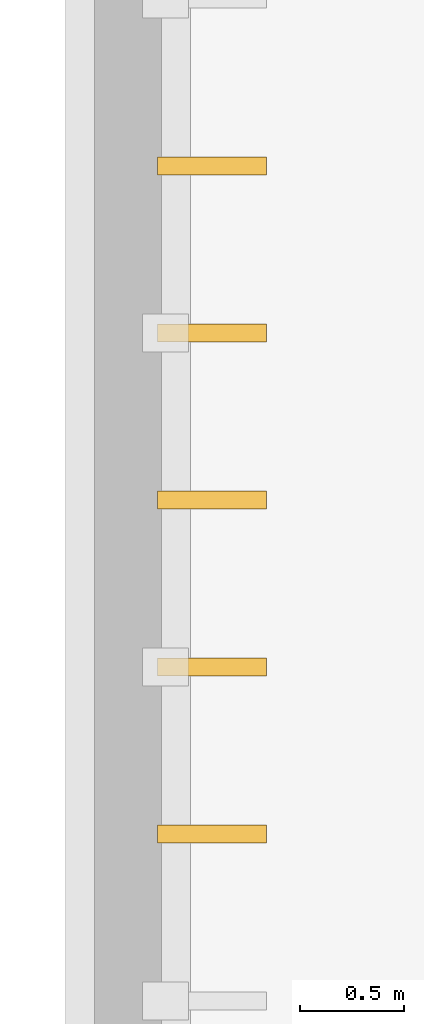
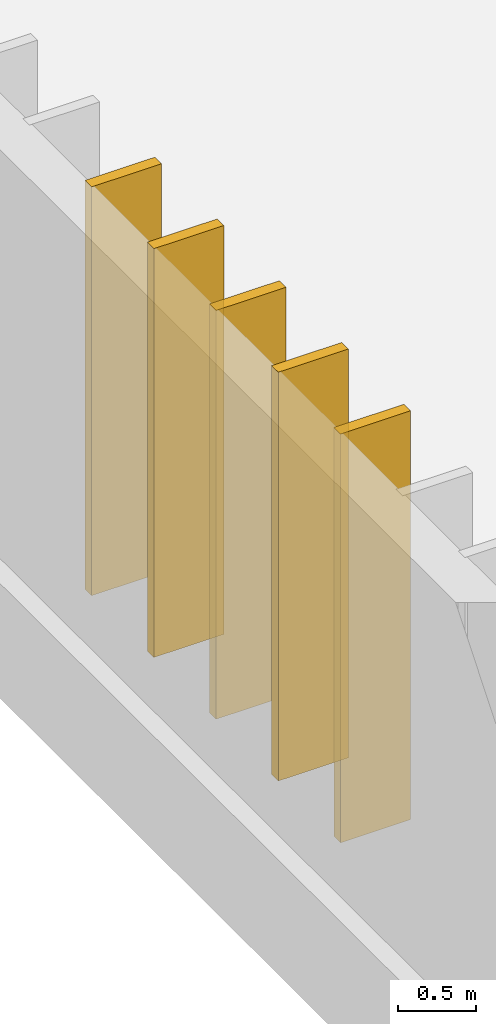
# One storey, part 77 of 81: 5 coverings, 2 shading devices.
"""IFC4 building model written with IfcOpenShell, lengths in metres."""

from ifc_helpers import new_model, si_unit, direction, frame, origin, origin_2d, place, context, subcontext, project, spatial, rectangle, extrude, material, layer, layer_set, type_object, element, save


model = new_model("IFC4")

# Units and contexts
model_context = context("Model", 3, precision=1e-05, world=origin(), true_north=direction((0.0, 1.0)))
body_context = subcontext(model_context, "Body", "Model", "MODEL_VIEW")
ifc_project = project(units=[si_unit("LENGTHUNIT", "METRE"), si_unit("AREAUNIT", "SQUARE_METRE"), si_unit("VOLUMEUNIT", "CUBIC_METRE"), si_unit("PLANEANGLEUNIT", "RADIAN"), si_unit("MASSUNIT", "GRAM", prefix="KILO")], contexts=[model_context])

# Site, building, storey
site_placement = place(None, origin())
site = spatial("IfcSite", under=ifc_project, at=site_placement, CompositionType="ELEMENT")
building_placement = place(site_placement, origin())
building = spatial("IfcBuilding", under=site, at=building_placement, Name="Qandorah Velis Arena", CompositionType="ELEMENT")
storey_placement = place(building_placement, frame((0.0, 0.0, 18.60009765625)))
storey = spatial("IfcBuildingStorey", under=building, at=storey_placement, Name="L04", CompositionType="ELEMENT", Elevation=18.60009765625)

# Coverings
ifc_material = material(Name="Champagne-bronze anodized aluminium 6063-T6", Category="aluminium")
ifc_layer = layer(ifc_material, 0.0849609375)
ifc_layer_set = layer_set([ifc_layer], Name="Champagne-bronze anodized aluminium 6063-T6")
covering_type = type_object("IfcCoveringType", Name="ARC-COV-FIN520", PredefinedType="CLADDING", material=ifc_layer_set)
for number, where, z_axis, x_axis, name in (
    (1, (115.60205078125, 64.0, 0.0), (0.0, 0.0, 1.0), (1.0, 0.0, 0.0), "Vertical champagne-bronze solar fin blade DRM-2-05-L04-008"),
    (2, (115.60205078125, 64.800048828125, 0.0), (0.0, 0.0, 1.0), (1.0, 0.0, 0.0), "Vertical champagne-bronze solar fin blade DRM-2-05-L04-009"),
    (3, (115.60205078125, 65.60009765625, 0.0), (0.0, 0.0, 1.0), (1.0, 0.0, 0.0), "Vertical champagne-bronze solar fin blade DRM-2-05-L04-010"),
    (4, (115.60205078125, 66.39990234375, 0.0), (0.0, 0.0, 1.0), (1.0, 0.0, 0.0), "Vertical champagne-bronze solar fin blade DRM-2-05-L04-011"),
    (5, (115.60205078125, 67.199951171875, 0.0), (0.0, 0.0, 1.0), (1.0, 0.0, 0.0), "Vertical champagne-bronze solar fin blade DRM-2-05-L04-012"),
):
    element("IfcCovering", number, at=place(storey_placement, frame(where, z_axis=z_axis, x_axis=x_axis)), inside=storey, type_object=covering_type, Name=name, PredefinedType="CLADDING", context=body_context, shape_type="SweptSolid", body=[
        extrude(rectangle(XDim=0.52001953125, YDim=0.0849609375, at=origin_2d()), origin(), (0.0, 0.0, 1.0), 3.2099609375),
    ])

# Shading devices
shading_device_type = type_object("IfcShadingDeviceType", Name="ARC-SHD-FIN520", PredefinedType="USERDEFINED", material=ifc_material)
for number, where, z_axis, x_axis, name in (
    (6, (115.60205078125, 64.800048828125, 0.0), (0.0, 0.0, 1.0), (1.0, 0.0, 0.0), "Vertical aerofoil solar fin SF-0031"),
    (7, (115.60205078125, 66.39990234375, 0.0), (0.0, 0.0, 1.0), (1.0, 0.0, 0.0), "Vertical aerofoil solar fin SF-0032"),
):
    element("IfcShadingDevice", number, at=place(storey_placement, frame(where, z_axis=z_axis, x_axis=x_axis)), inside=storey, type_object=shading_device_type, Name=name, ObjectType="SOLAR FIN", PredefinedType="USERDEFINED", context=body_context, shape_type="SweptSolid", body=[
        extrude(rectangle(XDim=0.52001953125, YDim=0.0849609375, at=origin_2d()), origin(), (0.0, 0.0, 1.0), 3.2099609375),
    ])

save(model, "model.ifc")
